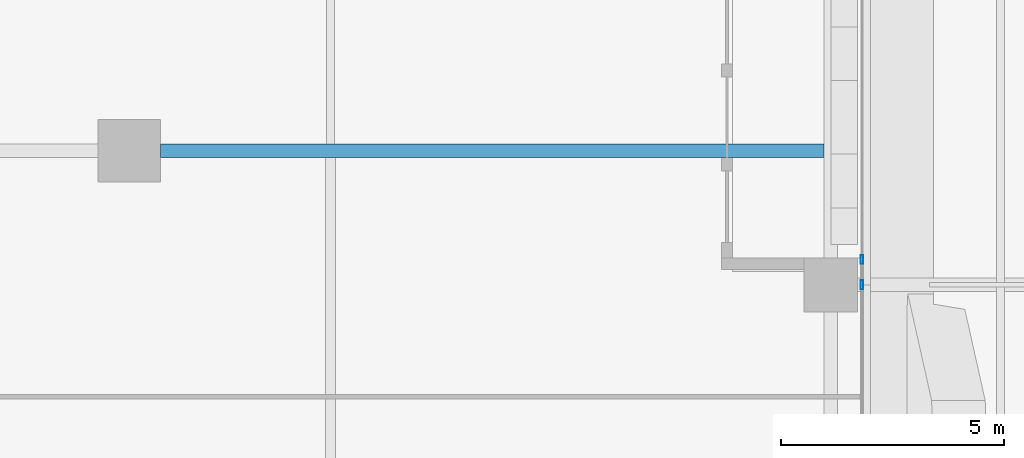
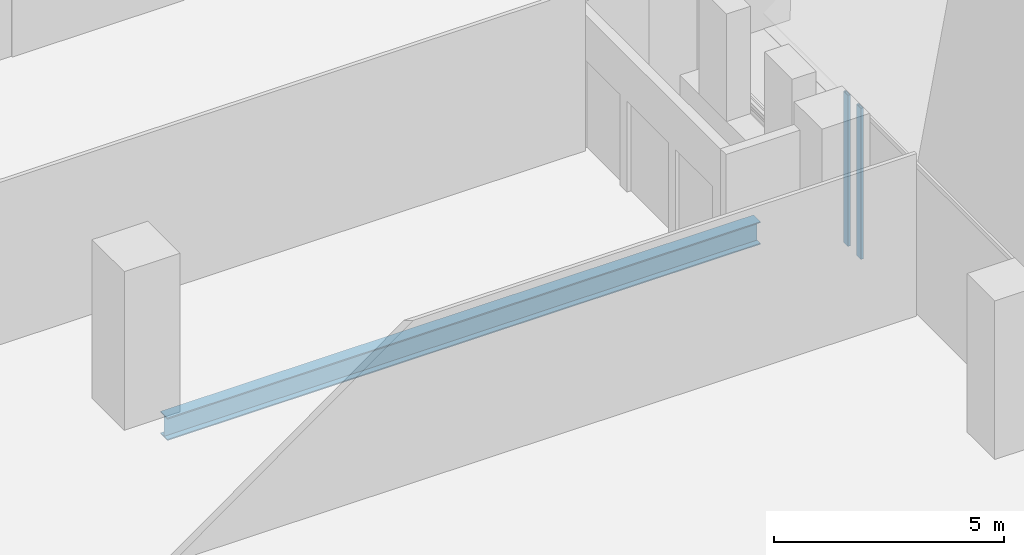
# One storey, part 12 of 46: 2 members, 1 beam, 1 element without a shape of its own.
"""IFC4 building model written with IfcOpenShell, lengths in metres."""

from ifc_helpers import new_model, si_unit, direction, frame, origin, origin_2d, place, context, subcontext, project, spatial, hollow_rectangle, i_section, extrude, source, transform, mapped, material, material_profile, profile_set, type_object, element, aggregate, save


model = new_model("IFC4")

# Units and contexts
model_context = context("Model", 3, precision=1e-05, world=origin(), true_north=direction((0.0, 1.0)))
body_context = subcontext(model_context, "Body", "Model", "MODEL_VIEW")
ifc_project = project(units=[si_unit("LENGTHUNIT", "METRE"), si_unit("AREAUNIT", "SQUARE_METRE"), si_unit("VOLUMEUNIT", "CUBIC_METRE"), si_unit("PLANEANGLEUNIT", "RADIAN"), si_unit("MASSUNIT", "GRAM", prefix="KILO")], contexts=[model_context])

# Site, building, storey
site_placement = place(None, origin())
site = spatial("IfcSite", under=ifc_project, at=site_placement, CompositionType="ELEMENT")
building_placement = place(site_placement, origin())
building = spatial("IfcBuilding", under=site, at=building_placement, Name="Khomas Fold Tower", CompositionType="ELEMENT")
storey_placement = place(building_placement, frame((0.0, 0.0, 33.0)))
storey = spatial("IfcBuildingStorey", under=building, at=storey_placement, Name="L06", CompositionType="ELEMENT", Elevation=33.0)

# Beam
ifc_material_1 = material(Name="Steel S355", Category="steel")
ifc_material_profile_1 = material_profile(ifc_material_1, i_section(OverallWidth=0.300048828125, OverallDepth=0.60009765625, WebThickness=0.015380859375, FlangeThickness=0.030029296875, at=origin_2d()), Name="HE 600 B")
ifc_profile_set_1 = profile_set([ifc_material_profile_1], Name="Steel S355")
beam_type = type_object("IfcBeamType", Name="HE 600 B beam GB5", PredefinedType="BEAM", material=ifc_profile_set_1)
shared_shape_1 = source(origin(), body_context, "Body", "SweptSolid", [
    extrude(i_section(OverallWidth=0.300048828125, OverallDepth=0.60009765625, WebThickness=0.015380859375, FlangeThickness=0.030029296875, at=origin_2d()), origin(), (0.0, 0.0, 1.0), 14.85009765625),
])
beam_placement = place(storey_placement, frame((38.199951171875, 22.5, -0.800048828125), z_axis=(1.0, 0.0, 0.0), x_axis=(0.0, 1.0, 0.0)))
element("IfcBeam", 1, at=beam_placement, inside=storey, type_object=beam_type, Name="GB5", PredefinedType="BEAM", context=body_context, shape_type="MappedRepresentation", body=[
    mapped(shared_shape_1, transform((0.0, 0.0, 0.0))),
])

# Curtain wall, members
ifc_material_2 = material(Name="Aluminium framed double glazing", Category="aluminium")
curtain_wall_type = type_object("IfcCurtainWallType", Name="SK-Unitised clear-glass wall, growing floors CW1", PredefinedType="NOTDEFINED", material=ifc_material_2)
curtain_wall_placement = place(storey_placement, origin())
curtain_wall = element("IfcCurtainWall", 2, at=curtain_wall_placement, inside=storey, type_object=curtain_wall_type, Name="CW1 run L06 03-0", PredefinedType="NOTDEFINED")
ifc_material_3 = material(Name="Aluminium", Category="aluminium")
ifc_material_profile_2 = material_profile(ifc_material_3, hollow_rectangle(XDim=0.06005859375, YDim=0.199951171875, WallThickness=0.00390625, at=origin_2d()), Name="SK-Unitised clear-glass wall, growing floors mullion CW1-M")
ifc_profile_set_2 = profile_set([ifc_material_profile_2], Name="Aluminium")
member_type = type_object("IfcMemberType", Name="SK-Unitised clear-glass wall, growing floors mullion CW1-M", PredefinedType="MULLION", material=ifc_profile_set_2)
shared_shape_2 = source(origin(), body_context, "Body", "SweptSolid", [
    extrude(hollow_rectangle(XDim=0.06005859375, YDim=0.199951171875, WallThickness=0.00390625, at=origin_2d()), origin(), (0.0, 0.0, 1.0), 4.0),
])
member_1_placement = place(storey_placement, frame((53.89990234375, 19.5, 0.0), z_axis=(0.0, 0.0, 1.0), x_axis=(-1.0, 0.0, 0.0)))
member_1 = element("IfcMember", 3, at=member_1_placement, type_object=member_type, Name="CW1 mullion 4", PredefinedType="MULLION", context=body_context, shape_type="MappedRepresentation", body=[
    mapped(shared_shape_2, transform((0.0, 0.0, 0.0))),
])
member_2_placement = place(storey_placement, frame((53.89990234375, 20.070068359375, 0.0), z_axis=(0.0, 0.0, 1.0), x_axis=(-1.0, 0.0, 0.0)))
member_2 = element("IfcMember", 4, at=member_2_placement, type_object=member_type, Name="CW1 mullion 5", PredefinedType="MULLION", context=body_context, shape_type="MappedRepresentation", body=[
    mapped(shared_shape_2, transform((0.0, 0.0, 0.0))),
])
aggregate(curtain_wall, [member_1, member_2])

save(model, "model.ifc")
